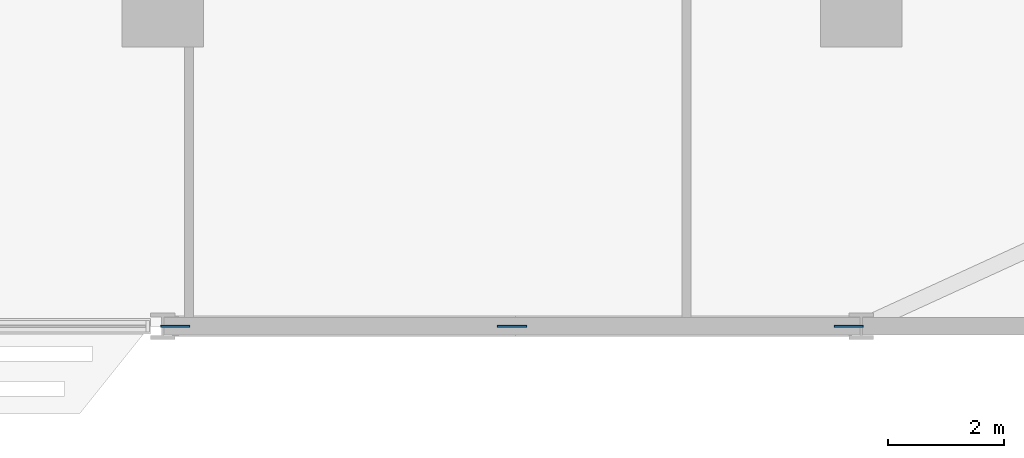
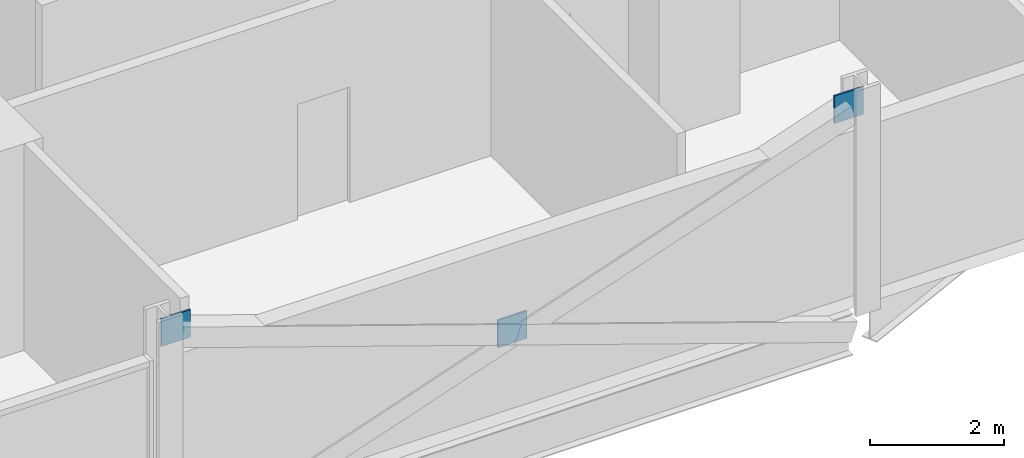
# One storey, part 21 of 29: 3 discrete accessories.
"""IFC4 building model written with IfcOpenShell, lengths in metres."""

from ifc_helpers import new_model, si_unit, direction, frame, origin, origin_2d, place, context, subcontext, project, spatial, rectangle, extrude, material, layer, layer_set, type_object, element, save


model = new_model("IFC4")

# Units and contexts
model_context = context("Model", 3, precision=1e-05, world=origin(), true_north=direction((0.0, 1.0)))
body_context = subcontext(model_context, "Body", "Model", "MODEL_VIEW")
ifc_project = project(units=[si_unit("LENGTHUNIT", "METRE"), si_unit("AREAUNIT", "SQUARE_METRE"), si_unit("VOLUMEUNIT", "CUBIC_METRE"), si_unit("PLANEANGLEUNIT", "RADIAN"), si_unit("MASSUNIT", "GRAM", prefix="KILO")], contexts=[model_context])

# Site, building, storey
site_placement = place(None, origin())
site = spatial("IfcSite", under=ifc_project, at=site_placement, CompositionType="ELEMENT")
building_placement = place(site_placement, origin())
building = spatial("IfcBuilding", under=site, at=building_placement, Name="Mahtab Terrace Research Tower", CompositionType="ELEMENT")
storey_placement = place(building_placement, frame((0.0, 0.0, 97.10009765625)))
storey = spatial("IfcBuildingStorey", under=building, at=storey_placement, Name="L22", CompositionType="ELEMENT", Elevation=97.10009765625)

# Discrete accessories
ifc_material = material(Name="Steel ASTM A992 Gr 50", Category="steel")
ifc_layer = layer(ifc_material, 0.030029296875)
ifc_layer_set = layer_set([ifc_layer], Name="Gusset plate 500x500x30")
discrete_accessory_type = type_object("IfcDiscreteAccessoryType", Name="Gusset plate 500x500x30", PredefinedType="USERDEFINED", material=ifc_layer_set)
for number, where, z_axis, x_axis, name in (
    (1, (30.209716796875, -17.0, 3.13134765625), (0.0, 0.0, 1.0), (1.0, 0.0, 0.0), "Gusset plate"),
    (2, (36.0, -17.0, 1.081298828125), (0.0, 0.0, 1.0), (1.0, 0.0, 0.0), "Gusset plate"),
    (3, (41.790283203125, -17.0, 3.13134765625), (0.0, 0.0, 1.0), (1.0, 0.0, 0.0), "Gusset plate"),
):
    element("IfcDiscreteAccessory", number, at=place(storey_placement, frame(where, z_axis=z_axis, x_axis=x_axis)), inside=storey, type_object=discrete_accessory_type, Name=name, ObjectType="GUSSET PLATE", PredefinedType="USERDEFINED", context=body_context, shape_type="SweptSolid", body=[
        extrude(rectangle(XDim=0.5, YDim=0.030029296875, at=origin_2d()), origin(), (0.0, 0.0, 1.0), 0.5),
    ])

save(model, "model.ifc")
